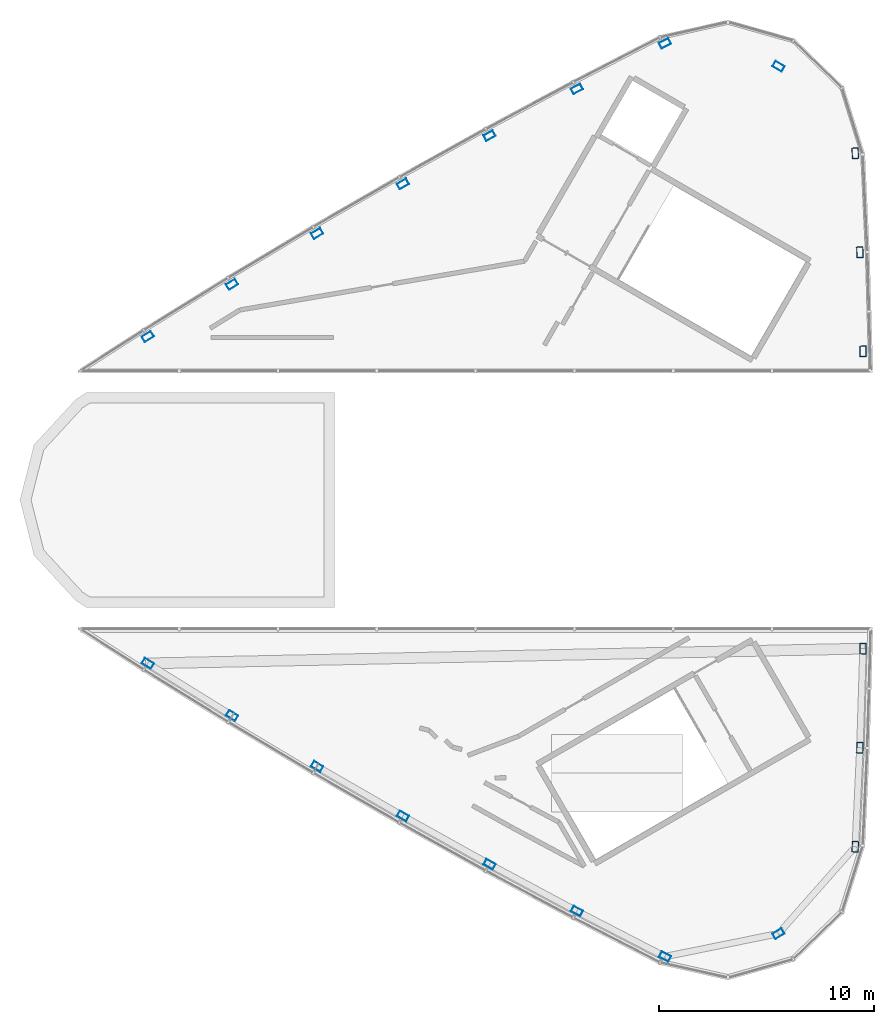
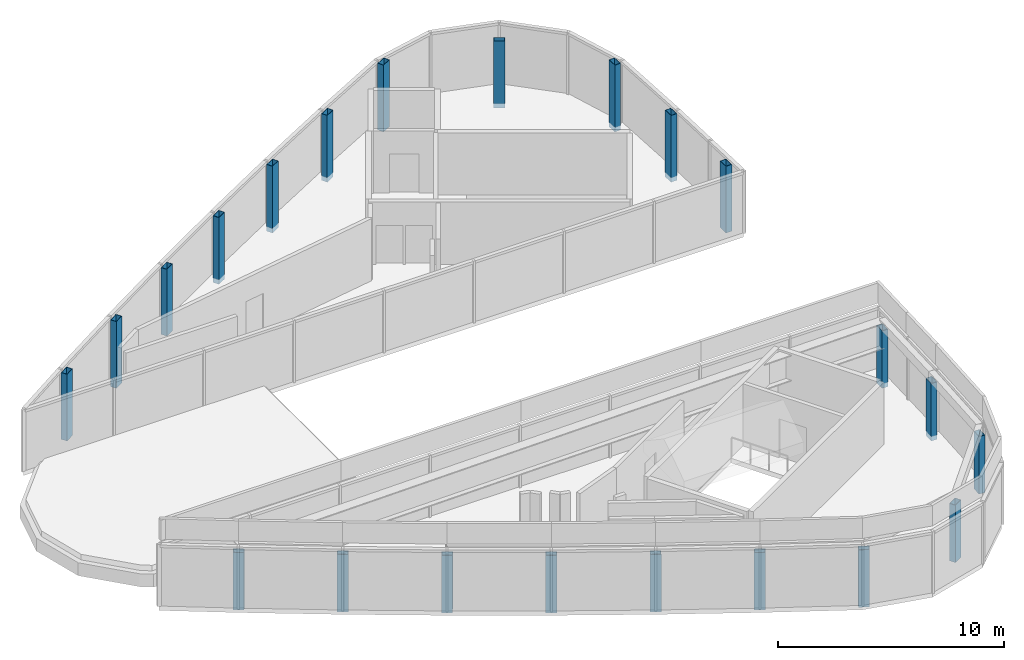
# One storey, part 1 of 7: 22 columns.
"""IFC4 building model written with IfcOpenShell, lengths in metres."""

import ifcopenshell
import ifcopenshell.guid

model = None  # the IFC model being written
_history = None  # IfcOwnerHistory: only IFC2X3 demands one
_inside = {}  # id of a spatial element -> (the spatial element, [elements in it])
_under = {}  # id of a project, library or spatial element -> (it, [spatial elements below it])
_declared = {}  # id of a project -> (the project, [libraries it declares])
_typed = {}  # id of a type object -> (the type object, [elements of that type])
_made_of = {}  # id of a material, layer set ... -> (it, [elements and type objects made of it])


def new_model(schema):
    """Start an empty IFC model of exactly this schema.

    Asked for "IFC4X3", IfcOpenShell would pick the latest addendum, in which some entities
    have other attributes; the version numbers below select the first issue.
    IFC2X3 requires an IfcOwnerHistory on every rooted entity: one is made here for all.
    """
    global model, _history
    if schema == "IFC4X3":
        model = ifcopenshell.file(schema_version=(4, 3, 0, 0))
    else:
        model = ifcopenshell.file(schema=schema)
    _inside.clear()
    _under.clear()
    _declared.clear()
    _typed.clear()
    _made_of.clear()
    _history = None
    if model.schema == "IFC2X3":
        org = make("IfcOrganization", Name="unknown")
        user = make(
            "IfcPersonAndOrganization",
            ThePerson=make("IfcPerson", FamilyName="unknown"),
            TheOrganization=org,
        )
        app = make(
            "IfcApplication",
            ApplicationDeveloper=org,
            Version="unknown",
            ApplicationFullName="unknown",
            ApplicationIdentifier="unknown",
        )
        _history = make(
            "IfcOwnerHistory",
            OwningUser=user,
            OwningApplication=app,
            ChangeAction="ADDED",
            CreationDate=0,
        )
    return model


def make(cls, **values):
    """One entity of the class cls with the attributes given. An attribute that is None is left unset."""
    return model.create_entity(
        cls, **{name: value for name, value in values.items() if value is not None}
    )


def rooted(cls, **values):
    """An entity with a GlobalId (a new one), such as an element, a storey or a relation."""
    return make(cls, GlobalId=ifcopenshell.guid.new(), OwnerHistory=_history, **values)


def si_unit(unit_type, name, prefix=None):
    """IfcSIUnit, for example si_unit("LENGTHUNIT", "METRE", prefix="MILLI")."""
    return make("IfcSIUnit", UnitType=unit_type, Prefix=prefix, Name=name)


def assignment(units):
    """IfcUnitAssignment: the units of a project."""
    return None if units is None else make("IfcUnitAssignment", Units=units)


def point(xyz):
    """IfcCartesianPoint."""
    return None if xyz is None else make("IfcCartesianPoint", Coordinates=xyz)


def direction(xyz):
    """IfcDirection."""
    return None if xyz is None else make("IfcDirection", DirectionRatios=xyz)


def frame(location, z_axis=None, x_axis=None):
    """IfcAxis2Placement3D, a coordinate frame: its origin and axes. An axis left out is left unset."""
    return make(
        "IfcAxis2Placement3D",
        Location=point(location),
        Axis=direction(z_axis),
        RefDirection=direction(x_axis),
    )


def frame_2d(location, x_axis=None):
    """IfcAxis2Placement2D, a coordinate frame in the plane: its origin and x axis."""
    return make(
        "IfcAxis2Placement2D", Location=point(location), RefDirection=direction(x_axis)
    )


def origin():
    """The frame at (0, 0, 0) with its axes left unset."""
    return frame((0.0, 0.0, 0.0))


def origin_2d():
    """The frame at (0, 0) in the plane with its x axis left unset."""
    return frame_2d((0.0, 0.0))


def place(relative_to, where):
    """IfcLocalPlacement: puts the frame where relative to a parent placement (None: the world)."""
    return make(
        "IfcLocalPlacement", PlacementRelTo=relative_to, RelativePlacement=where
    )


def context(
    kind, dimensions, precision=None, world=None, true_north=None, identifier=None
):
    """IfcGeometricRepresentationContext, for example the 3D "Model" context."""
    return make(
        "IfcGeometricRepresentationContext",
        ContextIdentifier=identifier,
        ContextType=kind,
        CoordinateSpaceDimension=dimensions,
        Precision=precision,
        WorldCoordinateSystem=world,
        TrueNorth=true_north,
    )


def subcontext(parent, identifier, kind, view, scale=None):
    """IfcGeometricRepresentationSubContext, for example "Body" below "Model"."""
    return make(
        "IfcGeometricRepresentationSubContext",
        ContextIdentifier=identifier,
        ContextType=kind,
        ParentContext=parent,
        TargetScale=scale,
        TargetView=view,
    )


def project(units=None, contexts=None):
    """IfcProject with its units and contexts."""
    return rooted(
        "IfcProject",
        Name="project",
        RepresentationContexts=contexts,
        UnitsInContext=assignment(units),
    )


def spatial(cls, under=None, at=None, **own):
    """A site, building, storey or space (cls), placed at a placement, below another one or the project."""
    s = rooted(cls, ObjectPlacement=at, **own)
    if under is not None:
        _under.setdefault(under.id(), (under, []))[1].append(s)
    return s


def profile(cls, at=None, kind="AREA", **sizes):
    """A parametric profile (cls). Its sizes go by their IFC names, for example OverallWidth=200.0."""
    return make(cls, ProfileType=kind, Position=at, **sizes)


def hollow_rectangle(**sizes):
    """IfcRectangleHollowProfileDef."""
    return profile("IfcRectangleHollowProfileDef", **sizes)


def extrude(swept, where, along, depth):
    """IfcExtrudedAreaSolid: the profile swept, set in the frame where, extruded along a direction by depth."""
    return make(
        "IfcExtrudedAreaSolid",
        SweptArea=swept,
        Position=where,
        ExtrudedDirection=direction(along),
        Depth=depth,
    )


def shape(context_of_items, identifier, shape_type, items):
    """IfcShapeRepresentation: the items that make up one representation, for example the "Body"."""
    return make(
        "IfcShapeRepresentation",
        ContextOfItems=context_of_items,
        RepresentationIdentifier=identifier,
        RepresentationType=shape_type,
        Items=items,
    )


def material(Name=None, Category=None):
    """IfcMaterial."""
    return make("IfcMaterial", Name=Name, Category=Category)


def material_profile(
    of_material, cross_section, Name=None, Category=None, Priority=None
):
    """IfcMaterialProfile: a cross section and its material."""
    return make(
        "IfcMaterialProfile",
        Name=Name,
        Material=of_material,
        Profile=cross_section,
        Priority=Priority,
        Category=Category,
    )


def profile_set(profiles, Name=None, composite=None):
    """IfcMaterialProfileSet."""
    return make(
        "IfcMaterialProfileSet",
        Name=Name,
        MaterialProfiles=profiles,
        CompositeProfile=composite,
    )


def made_of(thing, what):
    """Note that an element or type object is made of a material, layer set ...; save() writes the relation."""
    if what is not None:
        _made_of.setdefault(what.id(), (what, []))[1].append(thing)
    return thing


def type_object(cls, material=None, **own):
    """A type object (cls), such as IfcWallType, which elements share."""
    return made_of(rooted(cls, **own), material)


def element(
    cls,
    number,
    at=None,
    inside=None,
    cuts=None,
    type_object=None,
    material=None,
    context=None,
    identifier="Body",
    shape_type=None,
    held_by="IfcProductDefinitionShape",
    body=None,
    shapes=None,
    **own,
):
    """One element of the class cls, such as IfcWall. Its Tag is "e" and its number.

    at: its placement. inside: the storey or other place that contains it. cuts: it is an
    opening in that element (IfcRelVoidsElement). A single representation is given by context,
    identifier, shape_type and body (its items); several are given by shapes. held_by: the class
    of the entity that holds the representations. save() writes the other relations.
    """
    e = rooted(cls, Tag="e%d" % number, ObjectPlacement=at, **own)
    if body is not None:
        shapes = [shape(context, identifier, shape_type, body)]
    if shapes is not None:
        e.Representation = make(held_by, Representations=shapes)
    if inside is not None:
        _inside.setdefault(inside.id(), (inside, []))[1].append(e)
    if cuts is not None:
        rooted(
            "IfcRelVoidsElement", RelatingBuildingElement=cuts, RelatedOpeningElement=e
        )
    if type_object is not None:
        _typed.setdefault(type_object.id(), (type_object, []))[1].append(e)
    return made_of(e, material)


def aggregate(whole, parts):
    """IfcRelAggregates: a whole, such as a stair, and the parts it consists of."""
    return rooted("IfcRelAggregates", RelatingObject=whole, RelatedObjects=parts)


def save(model, path):
    """Write the relations noted so far, then the file.

    IfcRelAggregates (storeys below a building ...), IfcRelContainedInSpatialStructure (elements
    in a storey), IfcRelDefinesByType, IfcRelAssociatesMaterial and IfcRelDeclares: one each for
    every whole, place, type object, material and project.
    """
    for whole, parts in _under.values():
        aggregate(whole, parts)
    for where, things in _inside.values():
        rooted(
            "IfcRelContainedInSpatialStructure",
            RelatedElements=things,
            RelatingStructure=where,
        )
    for kind, things in _typed.values():
        rooted("IfcRelDefinesByType", RelatedObjects=things, RelatingType=kind)
    for what, things in _made_of.values():
        rooted("IfcRelAssociatesMaterial", RelatedObjects=things, RelatingMaterial=what)
    for by, libraries in _declared.values():
        rooted("IfcRelDeclares", RelatingContext=by, RelatedDefinitions=libraries)
    model.write(path)


model = new_model("IFC4")

# Units and contexts
model_context = context("Model", 3, precision=1e-05, world=origin(), true_north=direction((0.0, 1.0)))
body_context = subcontext(model_context, "Body", "Model", "MODEL_VIEW")
ifc_project = project(units=[si_unit("LENGTHUNIT", "METRE"), si_unit("AREAUNIT", "SQUARE_METRE"), si_unit("VOLUMEUNIT", "CUBIC_METRE"), si_unit("PLANEANGLEUNIT", "RADIAN"), si_unit("MASSUNIT", "GRAM", prefix="KILO")], contexts=[model_context])

# Site, building, storey
site_placement = place(None, origin())
site = spatial("IfcSite", under=ifc_project, at=site_placement, CompositionType="ELEMENT")
building_placement = place(site_placement, origin())
building = spatial("IfcBuilding", under=site, at=building_placement, Name="Tamra Quay Hotel Tower", CompositionType="ELEMENT")
storey_placement = place(building_placement, frame((0.0, 0.0, 335.0)))
storey = spatial("IfcBuildingStorey", under=building, at=storey_placement, Name="Roof crown 5", CompositionType="ELEMENT", Elevation=335.0)

# Columns
ifc_material = material(Name="Structural steel IS 2062 E350", Category="steel")
ifc_material_profile = material_profile(ifc_material, hollow_rectangle(XDim=0.300048828125, YDim=0.5, WallThickness=0.01611328125, at=origin_2d()), Name="RHS 500x300x16")
ifc_profile_set = profile_set([ifc_material_profile], Name="Structural steel IS 2062 E350")
column_type = type_object("IfcColumnType", Name="CROWN FRAME POST RHS 500x300x16", PredefinedType="COLUMN", material=ifc_profile_set)
for number, where, z_axis, x_axis, name in (
    (1, (-13.765380859375, 10.022216796875, -0.25), (0.0, 0.0, 1.0), (-0.520430007934, 0.8539043312, 0.0), "CF-A-C6NW06-Roofcrown5"),
    (2, (-17.681396484375, 7.594970703125, -0.25), (0.0, 0.0, 1.0), (-0.533133229604, 0.846031299357, 0.0), "CF-A-C6NW07-Roofcrown5"),
    (3, (15.56201171875, 6.909912109375, -0.25), (0.0, 0.0, 1.0), (0.999717847188, 0.023753442163, 0.0), "CF-A-C6E06-Roofcrown5"),
    (4, (15.418212890625, 11.51513671875, -0.25), (0.0, 0.0, 1.0), (0.999251212442, 0.03869127076, 0.0), "CF-A-C6E07-Roofcrown5"),
    (5, (15.202392578125, 16.116943359375, -0.25), (0.0, 0.0, 1.0), (0.998490919119, 0.05491706873, 0.0), "CF-A-C6E08-Roofcrown5"),
    (6, (11.63671875, 20.1552734375, -0.25), (0.0, 0.0, 1.0), (0.5, 0.866025403784, 0.0), "CF-A-M6NE-Roofcrown5"),
    (7, (6.3564453125, 21.22412109375, -0.25), (0.0, 0.0, 1.0), (-0.451685882938, 0.89217703577, 0.0), "CF-A-C6NW01-Roofcrown5"),
    (8, (2.26318359375, 19.110107421875, -0.25), (0.0, 0.0, 1.0), (-0.466117982839, 0.884722570117, 0.0), "CF-A-C6NW02-Roofcrown5"),
    (9, (-1.796875, 16.93212890625, -0.25), (0.0, 0.0, 1.0), (-0.479287839253, 0.877657773363, 0.0), "CF-A-C6NW03-Roofcrown5"),
    (10, (-5.822265625, 14.69140625, -0.25), (0.0, 0.0, 1.0), (-0.493125204396, 0.869958351181, 0.0), "CF-A-C6NW04-Roofcrown5"),
    (11, (-9.81201171875, 12.3876953125, -0.25), (0.0, 0.0, 1.0), (-0.506843430159, 0.862038129844, 0.0), "CF-A-C6NW05-Roofcrown5"),
):
    element("IfcColumn", number, at=place(storey_placement, frame(where, z_axis=z_axis, x_axis=x_axis)), inside=storey, type_object=column_type, Name=name, PredefinedType="COLUMN", context=body_context, shape_type="SweptSolid", body=[
        extrude(hollow_rectangle(XDim=0.300048828125, YDim=0.5, WallThickness=0.01611328125, at=origin_2d()), origin(), (0.0, 0.0, 1.0), 3.60009765625),
    ])
for number, where, z_axis, x_axis, name in (
    (12, (-9.81201171875, -12.3876953125, -0.25), (0.0, 0.0, 1.0), (0.506843430159, 0.862038129844, 0.0), "CF-B-C6SW04-Roofcrown5"),
    (13, (-5.822265625, -14.69140625, -0.25), (0.0, 0.0, 1.0), (0.493125204396, 0.869958351181, 0.0), "CF-B-C6SW05-Roofcrown5"),
    (14, (-1.796875, -16.93212890625, -0.25), (0.0, 0.0, 1.0), (0.479287839253, 0.877657773363, 0.0), "CF-B-C6SW06-Roofcrown5"),
    (15, (2.26318359375, -19.110107421875, -0.25), (0.0, 0.0, 1.0), (0.466117982839, 0.884722570117, 0.0), "CF-B-C6SW07-Roofcrown5"),
    (16, (6.3564453125, -21.22412109375, -0.25), (0.0, 0.0, 1.0), (0.451685882938, 0.89217703577, 0.0), "CF-B-C6SW08-Roofcrown5"),
    (17, (11.63671875, -20.1552734375, -0.25), (0.0, 0.0, 1.0), (-0.5, 0.866025403784, 0.0), "CF-B-M6SE-Roofcrown5"),
    (18, (15.202392578125, -16.116943359375, -0.25), (0.0, 0.0, 1.0), (-0.998490919119, 0.05491706873, 0.0), "CF-B-C6E01-Roofcrown5"),
    (19, (15.418212890625, -11.51513671875, -0.25), (0.0, 0.0, 1.0), (-0.999251212442, 0.03869127076, 0.0), "CF-B-C6E02-Roofcrown5"),
    (20, (15.56201171875, -6.909912109375, -0.25), (0.0, 0.0, 1.0), (-0.999717847188, 0.023753442163, 0.0), "CF-B-C6E03-Roofcrown5"),
    (21, (-17.681396484375, -7.594970703125, -0.25), (0.0, 0.0, 1.0), (0.533133229604, 0.846031299357, 0.0), "CF-B-C6SW02-Roofcrown5"),
    (22, (-13.765380859375, -10.022216796875, -0.25), (0.0, 0.0, 1.0), (0.520430007934, 0.8539043312, 0.0), "CF-B-C6SW03-Roofcrown5"),
):
    element("IfcColumn", number, at=place(storey_placement, frame(where, z_axis=z_axis, x_axis=x_axis)), inside=storey, type_object=column_type, Name=name, PredefinedType="COLUMN", context=body_context, shape_type="SweptSolid", body=[
        extrude(hollow_rectangle(XDim=0.300048828125, YDim=0.5, WallThickness=0.01611328125, at=origin_2d()), origin(), (0.0, 0.0, 1.0), 3.10009765625),
    ])

save(model, "model.ifc")
